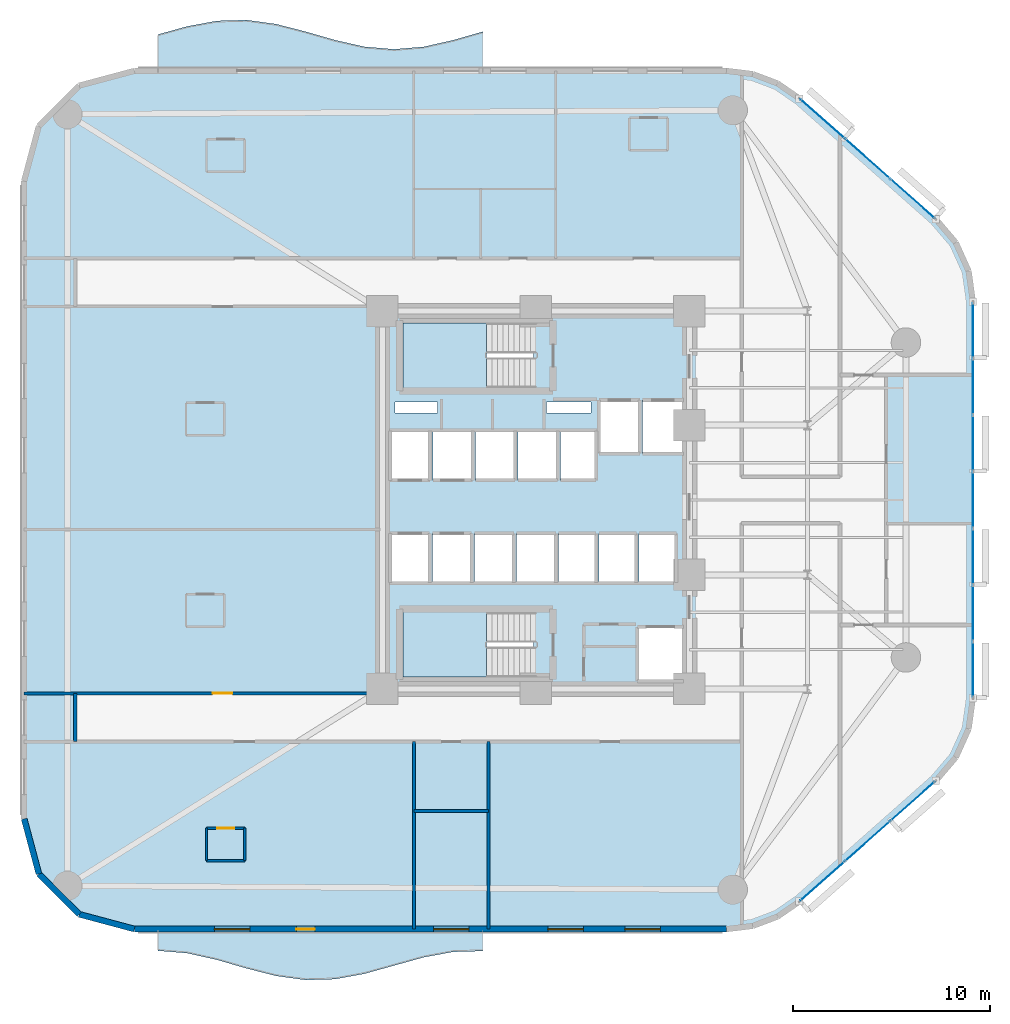
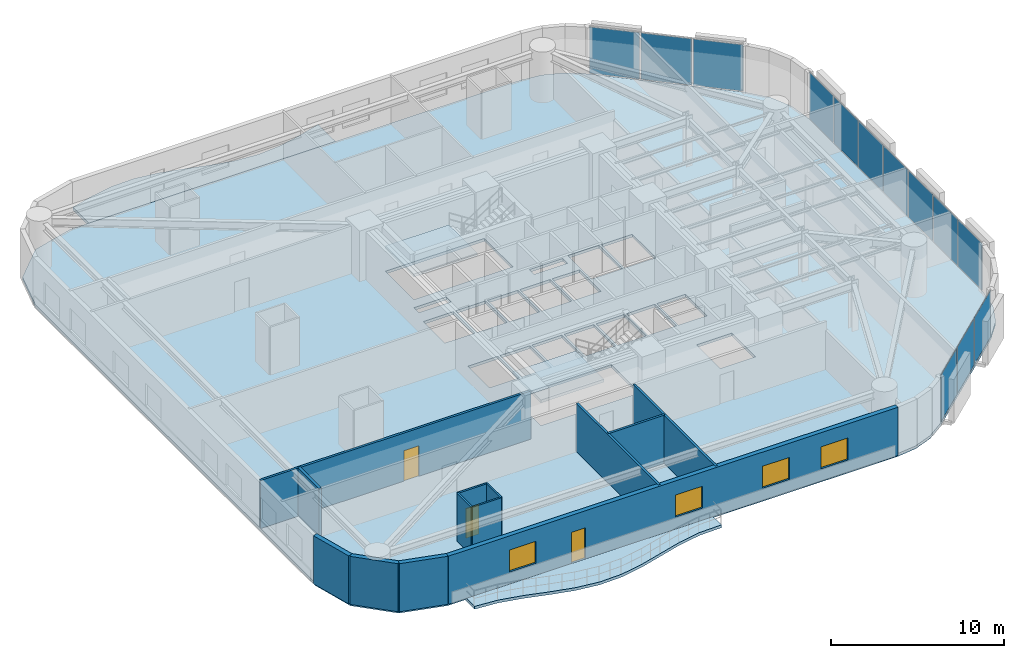
# One storey, part 9 of 16: 13 plates, 13 walls, 5 slabs, 4 windows, 3 doors, 7 openings, 5 elements without a shape of their own.
"""IFC4 building model written with IfcOpenShell, lengths in metres."""

from ifc_helpers import new_model, si_unit, direction, frame, frame_2d, origin, origin_2d, place, context, subcontext, project, spatial, polyline, rectangle, outline, extrude, material, layer, layer_set, type_object, element, fill, aggregate, save


model = new_model("IFC4")

# Units and contexts
model_context = context("Model", 3, precision=1e-05, world=origin(), true_north=direction((0.0, 1.0)))
body_context = subcontext(model_context, "Body", "Model", "MODEL_VIEW")
ifc_project = project(units=[si_unit("LENGTHUNIT", "METRE"), si_unit("AREAUNIT", "SQUARE_METRE"), si_unit("VOLUMEUNIT", "CUBIC_METRE"), si_unit("PLANEANGLEUNIT", "RADIAN"), si_unit("MASSUNIT", "GRAM", prefix="KILO")], contexts=[model_context])

# Site, building, storey
site_placement = place(None, origin())
site = spatial("IfcSite", under=ifc_project, at=site_placement, CompositionType="ELEMENT")
building_placement = place(site_placement, origin())
building = spatial("IfcBuilding", under=site, at=building_placement, Name="An Khanh Terracotta Commons", CompositionType="ELEMENT")
storey_placement = place(building_placement, frame((0.0, 0.0, 54.0)))
storey = spatial("IfcBuildingStorey", under=building, at=storey_placement, Name="L14", CompositionType="ELEMENT", Elevation=54.0)

# Curtain wall, plates
ifc_material_1 = material(Name="Anodised Aluminium 6063-T6", Category="aluminium")
ifc_layer_1 = layer(ifc_material_1, 0.199951171875, Name="Anodised Aluminium 6063-T6")
ifc_layer_set_1 = layer_set([ifc_layer_1], Name="Anodised Aluminium 6063-T6")
curtain_wall_type = type_object("IfcCurtainWallType", Name="CW-SYS-02", PredefinedType="USERDEFINED", material=ifc_layer_set_1)
curtain_wall_1_placement = place(storey_placement, origin())
curtain_wall_1 = element("IfcCurtainWall", 1, at=curtain_wall_1_placement, inside=storey, type_object=curtain_wall_type, Name="L14 CW-02 Unitised Curtain Wall CW-L14-08", ObjectType="UNITISED CURTAIN WALL", PredefinedType="USERDEFINED")
ifc_material_2 = material(Name="Double Low-E Solar Control Glazing", Category="glass")
ifc_layer_2 = layer(ifc_material_2, 0.028076171875, Name="Double Low-E Solar Control Glazing")
ifc_layer_set_2 = layer_set([ifc_layer_2], Name="Double Low-E Solar Control Glazing")
plate_type = type_object("IfcPlateType", Name="CWP-IGU-28", PredefinedType="CURTAIN_PANEL", material=ifc_layer_set_2)
plate_1_placement = place(storey_placement, frame((43.95556640625, 4.637939453125, 0.06005859375), z_axis=(0.0, 0.0, 1.0), x_axis=(0.749019284633, 0.662548195415, 0.0)))
plate_1 = element("IfcPlate", 2, at=plate_1_placement, type_object=plate_type, Name="CW-02 panel 1.1", PredefinedType="CURTAIN_PANEL", context=body_context, shape_type="SweptSolid", body=[
    extrude(rectangle(XDim=2.97509765625, YDim=0.028076171875, at=origin_2d()), origin(), (0.0, 0.0, 1.0), 3.280029296875),
])
plate_2_placement = place(storey_placement, frame((46.24951171875, 6.6669921875, 0.06005859375), z_axis=(0.0, 0.0, 1.0), x_axis=(0.749019284633, 0.662548195415, 0.0)))
plate_2 = element("IfcPlate", 3, at=plate_2_placement, type_object=plate_type, Name="CW-02 panel 2.1", PredefinedType="CURTAIN_PANEL", context=body_context, shape_type="SweptSolid", body=[
    extrude(rectangle(XDim=3.010009765625, YDim=0.028076171875, at=origin_2d()), origin(), (0.0, 0.0, 1.0), 3.280029296875),
])
plate_3_placement = place(storey_placement, frame((48.54345703125, 8.696044921875, 0.06005859375), z_axis=(0.0, 0.0, 1.0), x_axis=(0.749019284633, 0.662548195415, 0.0)))
plate_3 = element("IfcPlate", 4, at=plate_3_placement, type_object=plate_type, Name="CW-02 panel 3.1", PredefinedType="CURTAIN_PANEL", context=body_context, shape_type="SweptSolid", body=[
    extrude(rectangle(XDim=2.97509765625, YDim=0.028076171875, at=origin_2d()), origin(), (0.0, 0.0, 1.0), 3.280029296875),
])
aggregate(curtain_wall_1, [plate_1, plate_2, plate_3])

curtain_wall_2_placement = place(storey_placement, origin())
curtain_wall_2 = element("IfcCurtainWall", 5, at=curtain_wall_2_placement, inside=storey, type_object=curtain_wall_type, Name="L14 CW-02 Unitised Curtain Wall CW-L14-12", ObjectType="UNITISED CURTAIN WALL", PredefinedType="USERDEFINED")
plate_4_placement = place(storey_placement, frame((51.60009765625, 15.380126953125, 0.06005859375), z_axis=(0.0, 0.0, 1.0), x_axis=(0.0, 1.0, 0.0)))
plate_4 = element("IfcPlate", 6, at=plate_4_placement, type_object=plate_type, Name="CW-02 panel 1.1", PredefinedType="CURTAIN_PANEL", context=body_context, shape_type="SweptSolid", body=[
    extrude(rectangle(XDim=2.774169921875, YDim=0.028076171875, at=origin_2d()), origin(), (0.0, 0.0, 1.0), 3.280029296875),
])
plate_5_placement = place(storey_placement, frame((51.60009765625, 18.24169921875, 0.06005859375), z_axis=(0.0, 0.0, 1.0), x_axis=(0.0, 1.0, 0.0)))
plate_5 = element("IfcPlate", 7, at=plate_5_placement, type_object=plate_type, Name="CW-02 panel 2.1", PredefinedType="CURTAIN_PANEL", context=body_context, shape_type="SweptSolid", body=[
    extrude(rectangle(XDim=2.80908203125, YDim=0.028076171875, at=origin_2d()), origin(), (0.0, 0.0, 1.0), 3.280029296875),
])
plate_6_placement = place(storey_placement, frame((51.60009765625, 21.120849609375, 0.06005859375), z_axis=(0.0, 0.0, 1.0), x_axis=(0.0, 1.0, 0.0)))
plate_6 = element("IfcPlate", 8, at=plate_6_placement, type_object=plate_type, Name="CW-02 panel 3.1", PredefinedType="CURTAIN_PANEL", context=body_context, shape_type="SweptSolid", body=[
    extrude(rectangle(XDim=2.80908203125, YDim=0.028076171875, at=origin_2d()), origin(), (0.0, 0.0, 1.0), 3.280029296875),
])
plate_7_placement = place(storey_placement, frame((51.60009765625, 24.0, 0.06005859375), z_axis=(0.0, 0.0, 1.0), x_axis=(0.0, 1.0, 0.0)))
plate_7 = element("IfcPlate", 9, at=plate_7_placement, type_object=plate_type, Name="CW-02 panel 4.1", PredefinedType="CURTAIN_PANEL", context=body_context, shape_type="SweptSolid", body=[
    extrude(rectangle(XDim=2.80908203125, YDim=0.028076171875, at=origin_2d()), origin(), (0.0, 0.0, 1.0), 3.280029296875),
])
plate_8_placement = place(storey_placement, frame((51.60009765625, 26.879150390625, 0.06005859375), z_axis=(0.0, 0.0, 1.0), x_axis=(0.0, 1.0, 0.0)))
plate_8 = element("IfcPlate", 10, at=plate_8_placement, type_object=plate_type, Name="CW-02 panel 5.1", PredefinedType="CURTAIN_PANEL", context=body_context, shape_type="SweptSolid", body=[
    extrude(rectangle(XDim=2.80908203125, YDim=0.028076171875, at=origin_2d()), origin(), (0.0, 0.0, 1.0), 3.280029296875),
])
plate_9_placement = place(storey_placement, frame((51.60009765625, 29.75830078125, 0.06005859375), z_axis=(0.0, 0.0, 1.0), x_axis=(0.0, 1.0, 0.0)))
plate_9 = element("IfcPlate", 11, at=plate_9_placement, type_object=plate_type, Name="CW-02 panel 6.1", PredefinedType="CURTAIN_PANEL", context=body_context, shape_type="SweptSolid", body=[
    extrude(rectangle(XDim=2.80908203125, YDim=0.028076171875, at=origin_2d()), origin(), (0.0, 0.0, 1.0), 3.280029296875),
])
plate_10_placement = place(storey_placement, frame((51.60009765625, 32.619873046875, 0.06005859375), z_axis=(0.0, 0.0, 1.0), x_axis=(0.0, 1.0, 0.0)))
plate_10 = element("IfcPlate", 12, at=plate_10_placement, type_object=plate_type, Name="CW-02 panel 7.1", PredefinedType="CURTAIN_PANEL", context=body_context, shape_type="SweptSolid", body=[
    extrude(rectangle(XDim=2.774169921875, YDim=0.028076171875, at=origin_2d()), origin(), (0.0, 0.0, 1.0), 3.280029296875),
])
aggregate(curtain_wall_2, [plate_4, plate_5, plate_6, plate_7, plate_8, plate_9, plate_10])

curtain_wall_3_placement = place(storey_placement, origin())
curtain_wall_3 = element("IfcCurtainWall", 13, at=curtain_wall_3_placement, inside=storey, type_object=curtain_wall_type, Name="L14 CW-02 Unitised Curtain Wall CW-L14-16", ObjectType="UNITISED CURTAIN WALL", PredefinedType="USERDEFINED")
plate_11_placement = place(storey_placement, frame((48.54345703125, 39.303955078125, 0.06005859375), z_axis=(0.0, 0.0, 1.0), x_axis=(-0.749019284633, 0.662548195415, 0.0)))
plate_11 = element("IfcPlate", 14, at=plate_11_placement, type_object=plate_type, Name="CW-02 panel 1.1", PredefinedType="CURTAIN_PANEL", context=body_context, shape_type="SweptSolid", body=[
    extrude(rectangle(XDim=2.97509765625, YDim=0.028076171875, at=origin_2d()), origin(), (0.0, 0.0, 1.0), 3.280029296875),
])
plate_12_placement = place(storey_placement, frame((46.24951171875, 41.3330078125, 0.06005859375), z_axis=(0.0, 0.0, 1.0), x_axis=(-0.749019284633, 0.662548195415, 0.0)))
plate_12 = element("IfcPlate", 15, at=plate_12_placement, type_object=plate_type, Name="CW-02 panel 2.1", PredefinedType="CURTAIN_PANEL", context=body_context, shape_type="SweptSolid", body=[
    extrude(rectangle(XDim=3.010009765625, YDim=0.028076171875, at=origin_2d()), origin(), (0.0, 0.0, 1.0), 3.280029296875),
])
plate_13_placement = place(storey_placement, frame((43.95556640625, 43.362060546875, 0.06005859375), z_axis=(0.0, 0.0, 1.0), x_axis=(-0.749019284633, 0.662548195415, 0.0)))
plate_13 = element("IfcPlate", 16, at=plate_13_placement, type_object=plate_type, Name="CW-02 panel 3.1", PredefinedType="CURTAIN_PANEL", context=body_context, shape_type="SweptSolid", body=[
    extrude(rectangle(XDim=2.97509765625, YDim=0.028076171875, at=origin_2d()), origin(), (0.0, 0.0, 1.0), 3.280029296875),
])
aggregate(curtain_wall_3, [plate_11, plate_12, plate_13])

# Slabs
ifc_material_3 = material(Name="Concrete C40/50", Category="concrete")
ifc_layer_3 = layer(ifc_material_3, 0.199951171875, Name="Concrete C40/50")
ifc_layer_set_3 = layer_set([ifc_layer_3], Name="Concrete C40/50")
slab_type_1 = type_object("IfcSlabType", Name="SLAB-BALC-200", PredefinedType="FLOOR", material=ifc_layer_set_3)
slab_1_placement = place(storey_placement, frame((0.0, 0.0, -0.199951171875)))
element("IfcSlab", 17, at=slab_1_placement, inside=storey, type_object=slab_type_1, Name="L14 S Sinusoidal Wave Balcony Slab", PredefinedType="FLOOR", context=body_context, shape_type="SweptSolid", body=[
    extrude(outline(polyline([(10.199951171875, 2.199951171875), (10.199951171875, 1.10009765625), (11.699951171875, 0.97412109375), (13.199951171875, 0.636962890625), (14.699951171875, 0.2041015625), (16.199951171875, -0.179931640625), (17.699951171875, -0.385986328125), (19.199951171875, -0.343017578125), (20.699951171875, -0.06689453125), (22.199951171875, 0.35009765625), (23.699951171875, 0.76708984375), (25.199951171875, 1.04296875), (26.699951171875, 1.0859375), (26.699951171875, 2.199951171875), (10.199951171875, 2.199951171875)])), origin(), (0.0, 0.0, 1.0), 0.199951171875),
])
slab_2_placement = place(storey_placement, frame((0.0, 0.0, -0.199951171875)))
element("IfcSlab", 18, at=slab_2_placement, inside=storey, type_object=slab_type_1, Name="L14 N Sinusoidal Wave Balcony Slab", PredefinedType="FLOOR", context=body_context, shape_type="SweptSolid", body=[
    extrude(outline(polyline([(26.699951171875, 45.800048828125), (26.699951171875, 47.7958984375), (25.199951171875, 47.363037109375), (23.699951171875, 47.02587890625), (22.199951171875, 46.89990234375), (20.699951171875, 47.02587890625), (19.199951171875, 47.363037109375), (17.699951171875, 47.7958984375), (16.199951171875, 48.179931640625), (14.699951171875, 48.385986328125), (13.199951171875, 48.343017578125), (11.699951171875, 48.06689453125), (10.199951171875, 47.64990234375), (10.199951171875, 45.800048828125), (26.699951171875, 45.800048828125)])), origin(), (0.0, 0.0, 1.0), 0.199951171875),
])

# Stair, slab
ifc_material_4 = material(Name="Precast concrete C40/50", Category="concrete")
stair_type = type_object("IfcStairType", Name="STAIR-CORE-1550", PredefinedType="HALF_TURN_STAIR", material=ifc_material_4)
stair_1_placement = place(storey_placement, origin())
stair_1 = element("IfcStair", 19, at=stair_1_placement, inside=storey, type_object=stair_type, Name="L14 Core Smokeproof Exit Stair ST-01", PredefinedType="HALF_TURN_STAIR")
ifc_layer_4 = layer(ifc_material_3, 0.18994140625, Name="Concrete C40/50")
ifc_layer_set_4 = layer_set([ifc_layer_4], Name="Concrete C40/50")
slab_type_2 = type_object("IfcSlabType", Name="SLAB-LANDING-190", PredefinedType="LANDING", material=ifc_layer_set_4)
slab_3_placement = place(storey_placement, frame((0.0, 0.0, 1.60009765625)))
slab_3 = element("IfcSlab", 20, at=slab_3_placement, type_object=slab_type_2, Name="ST-01 landing 1", PredefinedType="LANDING", context=body_context, shape_type="SweptSolid", body=[
    extrude(outline(polyline([(26.889892578125, 33.0), (22.64990234375, 33.0), (22.64990234375, 29.699951171875), (26.889892578125, 29.699951171875), (26.889892578125, 33.0)])), origin(), (0.0, 0.0, 1.0), 0.199951171875),
])
aggregate(stair_1, [slab_3])

stair_2_placement = place(storey_placement, origin())
stair_2 = element("IfcStair", 21, at=stair_2_placement, inside=storey, type_object=stair_type, Name="L14 Core Smokeproof Exit Stair ST-02", PredefinedType="HALF_TURN_STAIR")
slab_4_placement = place(storey_placement, frame((0.0, 0.0, 1.60009765625)))
slab_4 = element("IfcSlab", 22, at=slab_4_placement, type_object=slab_type_2, Name="ST-02 landing 1", PredefinedType="LANDING", context=body_context, shape_type="SweptSolid", body=[
    extrude(outline(polyline([(26.889892578125, 18.300048828125), (22.64990234375, 18.300048828125), (22.64990234375, 15.0), (26.889892578125, 15.0), (26.889892578125, 18.300048828125)])), origin(), (0.0, 0.0, 1.0), 0.199951171875),
])
aggregate(stair_2, [slab_4])

# Slab
ifc_layer_5 = layer(ifc_material_3, 0.199951171875, Name="Concrete C40/50")
ifc_layer_set_5 = layer_set([ifc_layer_5], Name="Concrete C40/50")
slab_type_3 = type_object("IfcSlabType", Name="SLAB-TYP-200", PredefinedType="FLOOR", material=ifc_layer_set_5)
slab_5_placement = place(storey_placement, frame((0.0, 0.0, -0.199951171875)))
element("IfcSlab", 23, at=slab_5_placement, inside=storey, type_object=slab_type_3, Name="L14 Structural Floor Slab", PredefinedType="FLOOR", context=body_context, shape_type="SweptSolid", body=[
    extrude(outline(polyline([(3.39990234375, 7.800048828125), (4.14990234375, 5.0), (6.199951171875, 2.949951171875), (9.0, 2.199951171875), (39.0791015625, 2.199951171875), (40.4169921875, 2.362060546875), (41.678955078125, 2.840087890625), (42.7890625, 3.60595703125), (49.7099609375, 9.72802734375), (50.73193359375, 10.927978515625), (51.37890625, 12.363037109375), (51.60009765625, 13.923095703125), (51.60009765625, 34.076904296875), (51.37890625, 35.636962890625), (50.73193359375, 37.072021484375), (49.7099609375, 38.27197265625), (42.7890625, 44.39404296875), (41.678955078125, 45.159912109375), (40.4169921875, 45.637939453125), (39.0791015625, 45.800048828125), (9.0, 45.800048828125), (6.199951171875, 45.050048828125), (4.14990234375, 43.0), (3.39990234375, 40.199951171875), (3.39990234375, 7.800048828125)]), holes=[polyline([(22.64990234375, 29.699951171875), (29.27001953125, 29.699951171875), (29.27001953125, 33.0), (22.64990234375, 33.0), (22.64990234375, 29.699951171875)]), polyline([(22.64990234375, 15.0), (29.27001953125, 15.0), (29.27001953125, 18.300048828125), (22.64990234375, 18.300048828125), (22.64990234375, 15.0)]), polyline([(32.60009765625, 26.35009765625), (34.679931640625, 26.35009765625), (34.679931640625, 29.080078125), (32.60009765625, 29.080078125), (32.60009765625, 26.35009765625)]), polyline([(34.820068359375, 26.35009765625), (36.89990234375, 26.35009765625), (36.89990234375, 29.080078125), (34.820068359375, 29.080078125), (34.820068359375, 26.35009765625)]), polyline([(34.550048828125, 14.800048828125), (36.89990234375, 14.800048828125), (36.89990234375, 17.550048828125), (34.550048828125, 17.550048828125), (34.550048828125, 14.800048828125)]), polyline([(22.0, 25.0), (24.02001953125, 25.0), (24.02001953125, 27.5), (22.0, 27.5), (22.0, 25.0)]), polyline([(24.159912109375, 25.0), (26.179931640625, 25.0), (26.179931640625, 27.5), (24.159912109375, 27.5), (24.159912109375, 25.0)]), polyline([(22.0, 19.800048828125), (24.0, 19.800048828125), (24.0, 22.300048828125), (22.0, 22.300048828125), (22.0, 19.800048828125)]), polyline([(24.139892578125, 19.800048828125), (26.139892578125, 19.800048828125), (26.139892578125, 22.300048828125), (24.139892578125, 22.300048828125), (24.139892578125, 19.800048828125)]), polyline([(26.320068359375, 25.0), (28.340087890625, 25.0), (28.340087890625, 27.5), (26.320068359375, 27.5), (26.320068359375, 25.0)]), polyline([(28.47998046875, 25.0), (30.5, 25.0), (30.5, 27.5), (28.47998046875, 27.5), (28.47998046875, 25.0)]), polyline([(26.280029296875, 19.800048828125), (28.280029296875, 19.800048828125), (28.280029296875, 22.300048828125), (26.280029296875, 22.300048828125), (26.280029296875, 19.800048828125)]), polyline([(28.419921875, 19.800048828125), (30.419921875, 19.800048828125), (30.419921875, 22.300048828125), (28.419921875, 22.300048828125), (28.419921875, 19.800048828125)]), polyline([(30.639892578125, 25.0), (32.4599609375, 25.0), (32.4599609375, 27.5), (30.639892578125, 27.5), (30.639892578125, 25.0)]), polyline([(30.56005859375, 19.800048828125), (32.4599609375, 19.800048828125), (32.4599609375, 22.300048828125), (30.56005859375, 22.300048828125), (30.56005859375, 19.800048828125)]), polyline([(32.60009765625, 19.800048828125), (34.5, 19.800048828125), (34.5, 22.300048828125), (32.60009765625, 22.300048828125), (32.60009765625, 19.800048828125)]), polyline([(34.639892578125, 19.800048828125), (36.5400390625, 19.800048828125), (36.5400390625, 22.300048828125), (34.639892578125, 22.300048828125), (34.639892578125, 19.800048828125)]), polyline([(22.25, 28.419921875), (24.39990234375, 28.419921875), (24.39990234375, 28.97998046875), (22.25, 28.97998046875), (22.25, 28.419921875)]), polyline([(29.949951171875, 28.419921875), (32.199951171875, 28.419921875), (32.199951171875, 28.97998046875), (29.949951171875, 28.97998046875), (29.949951171875, 28.419921875)])]), origin(), (0.0, 0.0, 1.0), 0.199951171875),
])

# Walls
ifc_material_5 = material(Name="Fire-Rated Gypsum Board on Steel Stud", Category="steel")
ifc_layer_6 = layer(ifc_material_5, 0.179931640625, Name="Fire-Rated Gypsum Board on Steel Stud")
ifc_layer_set_6 = layer_set([ifc_layer_6], Name="Fire-Rated Gypsum Board on Steel Stud")
wall_type_1 = type_object("IfcWallType", Name="WALL-CORR-180", PredefinedType="PARTITIONING", material=ifc_layer_set_6)
wall_1_placement = place(storey_placement, frame((6.0, 11.719970703125, 0.0), z_axis=(0.0, 0.0, 1.0), x_axis=(0.0, 1.0, 0.0)))
element("IfcWall", 24, at=wall_1_placement, inside=storey, type_object=wall_type_1, Name="L14 Interior Partition IW-L14-E013", PredefinedType="PARTITIONING", context=body_context, shape_type="SweptSolid", body=[
    extrude(rectangle(XDim=2.4599609375, YDim=0.179931640625, at=frame_2d((1.22998046875, 0.0))), origin(), (0.0, 0.0, 1.0), 3.39990234375),
])
ifc_layer_7 = layer(ifc_material_4, 0.300048828125, Name="Precast concrete C40/50")
ifc_layer_set_7 = layer_set([ifc_layer_7], Name="Precast concrete C40/50")
wall_type_2 = type_object("IfcWallType", Name="WALL-EXT-300", PredefinedType="SOLIDWALL", material=ifc_layer_set_7)
wall_2_placement = place(storey_placement, frame((3.39990234375, 7.800048828125, 0.0), z_axis=(0.0, 0.0, 1.0), x_axis=(0.258731875344, -0.96594917914, 0.0)))
element("IfcWall", 25, at=wall_2_placement, inside=storey, type_object=wall_type_2, Name="L14 Insulated Terracotta Exterior Wall 1", PredefinedType="SOLIDWALL", context=body_context, shape_type="SweptSolid", body=[
    extrude(rectangle(XDim=2.898681640625, YDim=0.300048828125, at=frame_2d((1.44921875, 0.0))), origin(), (0.0, 0.0, 1.0), 3.39990234375),
])
wall_3_placement = place(storey_placement, frame((4.14990234375, 5.0, 0.0), z_axis=(0.0, 0.0, 1.0), x_axis=(0.707106781187, -0.707106781187, 0.0)))
element("IfcWall", 26, at=wall_3_placement, inside=storey, type_object=wall_type_2, Name="L14 Insulated Terracotta Exterior Wall 2", PredefinedType="SOLIDWALL", context=body_context, shape_type="SweptSolid", body=[
    extrude(rectangle(XDim=2.899169921875, YDim=0.300048828125, at=frame_2d((1.44970703125, 0.0))), origin(), (0.0, 0.0, 1.0), 3.39990234375),
])
wall_4_placement = place(storey_placement, frame((6.199951171875, 2.949951171875, 0.0), z_axis=(0.0, 0.0, 1.0), x_axis=(0.96594917914, -0.258731875344, 0.0)))
element("IfcWall", 27, at=wall_4_placement, inside=storey, type_object=wall_type_2, Name="L14 Insulated Terracotta Exterior Wall 3", PredefinedType="SOLIDWALL", context=body_context, shape_type="SweptSolid", body=[
    extrude(rectangle(XDim=2.898681640625, YDim=0.300048828125, at=frame_2d((1.44921875, 0.0))), origin(), (0.0, 0.0, 1.0), 3.39990234375),
])

# Wall, openings, door, windows
wall_5_placement = place(storey_placement, frame((9.0, 2.199951171875, 0.0), z_axis=(0.0, 0.0, 1.0), x_axis=(1.0, 0.0, 0.0)))
wall_5 = element("IfcWall", 28, at=wall_5_placement, inside=storey, type_object=wall_type_2, Name="L14 Insulated Terracotta Exterior Wall 4", PredefinedType="SOLIDWALL", context=body_context, shape_type="SweptSolid", body=[
    extrude(rectangle(XDim=30.0791015625, YDim=0.300048828125, at=frame_2d((15.03955078125, 0.0))), origin(), (0.0, 0.0, 1.0), 3.39990234375),
])
opening_1_placement = place(wall_5_placement, frame((8.22509765625, 0.0, 0.0)))
opening_1 = element("IfcOpeningElement", 29, at=opening_1_placement, cuts=wall_5, Name="Opening D-BAL", PredefinedType="OPENING", context=body_context, shape_type="SweptSolid", body=[
    extrude(rectangle(XDim=0.949951171875, YDim=2.199951171875, at=frame_2d((0.47509765625, 1.10009765625))), frame((0.0, 0.159912109375, 0.0), z_axis=(0.0, -1.0, 0.0), x_axis=(1.0, 0.0, 0.0)), (0.0, 0.0, 1.0), 0.320068359375),
])
opening_2_placement = place(wall_5_placement, frame((4.06689453125, 0.0, 0.85009765625)))
opening_2 = element("IfcOpeningElement", 30, at=opening_2_placement, cuts=wall_5, Name="Opening W-01", PredefinedType="OPENING", context=body_context, shape_type="SweptSolid", body=[
    extrude(rectangle(XDim=1.800048828125, YDim=1.550048828125, at=frame_2d((0.89990234375, 0.77490234375))), frame((0.0, 0.159912109375, 0.0), z_axis=(0.0, -1.0, 0.0), x_axis=(1.0, 0.0, 0.0)), (0.0, 0.0, 1.0), 0.320068359375),
])
opening_3_placement = place(wall_5_placement, frame((15.199951171875, 0.0, 0.85009765625)))
opening_3 = element("IfcOpeningElement", 31, at=opening_3_placement, cuts=wall_5, Name="Opening W-01", PredefinedType="OPENING", context=body_context, shape_type="SweptSolid", body=[
    extrude(rectangle(XDim=1.800048828125, YDim=1.550048828125, at=frame_2d((0.89990234375, 0.77490234375))), frame((0.0, 0.159912109375, 0.0), z_axis=(0.0, -1.0, 0.0), x_axis=(1.0, 0.0, 0.0)), (0.0, 0.0, 1.0), 0.320068359375),
])
opening_4_placement = place(wall_5_placement, frame((21.010009765625, 0.0, 0.85009765625)))
opening_4 = element("IfcOpeningElement", 32, at=opening_4_placement, cuts=wall_5, Name="Opening W-01", PredefinedType="OPENING", context=body_context, shape_type="SweptSolid", body=[
    extrude(rectangle(XDim=1.800048828125, YDim=1.550048828125, at=frame_2d((0.89990234375, 0.77490234375))), frame((0.0, 0.159912109375, 0.0), z_axis=(0.0, -1.0, 0.0), x_axis=(1.0, 0.0, 0.0)), (0.0, 0.0, 1.0), 0.320068359375),
])
opening_5_placement = place(wall_5_placement, frame((24.9189453125, 0.0, 0.85009765625)))
opening_5 = element("IfcOpeningElement", 33, at=opening_5_placement, cuts=wall_5, Name="Opening W-01", PredefinedType="OPENING", context=body_context, shape_type="SweptSolid", body=[
    extrude(rectangle(XDim=1.800048828125, YDim=1.550048828125, at=frame_2d((0.89990234375, 0.77490234375))), frame((0.0, 0.159912109375, 0.0), z_axis=(0.0, -1.0, 0.0), x_axis=(1.0, 0.0, 0.0)), (0.0, 0.0, 1.0), 0.320068359375),
])
ifc_material_6 = material(Name="Thermally Broken Aluminium and Low-E Glass", Category="aluminium")
door_type_1 = type_object("IfcDoorType", Name="DOOR-BALC-950", OperationType="NOTDEFINED", PredefinedType="DOOR", material=ifc_material_6)
door_1_placement = place(opening_1_placement, origin())
door_1 = element("IfcDoor", 34, at=door_1_placement, inside=storey, type_object=door_type_1, Name="L14 S Wave Balcony Glazed Door", OperationType="SINGLE_SWING_LEFT", OverallHeight=2.199951171875, OverallWidth=0.949951171875, PredefinedType="DOOR", context=body_context, shape_type="SweptSolid", body=[
    extrude(rectangle(XDim=0.949951171875, YDim=2.199951171875, at=frame_2d((0.47509765625, 1.10009765625))), frame((0.0, 0.02490234375, 0.0), z_axis=(0.0, -1.0, 0.0), x_axis=(1.0, 0.0, 0.0)), (0.0, 0.0, 1.0), 0.050048828125),
])
fill(opening_1, door_1)
window_type = type_object("IfcWindowType", Name="WIN-Z1-1800x1550", PartitioningType="DOUBLE_PANEL_VERTICAL", PredefinedType="WINDOW", material=ifc_material_6)
window_1_placement = place(opening_2_placement, origin())
window_1 = element("IfcWindow", 35, at=window_1_placement, inside=storey, type_object=window_type, Name="L14 Operable Casement Window 4.1", OverallHeight=1.550048828125, OverallWidth=1.800048828125, PartitioningType="DOUBLE_PANEL_VERTICAL", PredefinedType="WINDOW", context=body_context, shape_type="SweptSolid", body=[
    extrude(rectangle(XDim=1.800048828125, YDim=1.550048828125, at=frame_2d((0.89990234375, 0.77490234375))), frame((0.0, 0.030029296875, 0.0), z_axis=(0.0, -1.0, 0.0), x_axis=(1.0, 0.0, 0.0)), (0.0, 0.0, 1.0), 0.06005859375),
])
fill(opening_2, window_1)
window_2_placement = place(opening_3_placement, origin())
window_2 = element("IfcWindow", 36, at=window_2_placement, inside=storey, type_object=window_type, Name="L14 Operable Casement Window 4.2", OverallHeight=1.550048828125, OverallWidth=1.800048828125, PartitioningType="DOUBLE_PANEL_VERTICAL", PredefinedType="WINDOW", context=body_context, shape_type="SweptSolid", body=[
    extrude(rectangle(XDim=1.800048828125, YDim=1.550048828125, at=frame_2d((0.89990234375, 0.77490234375))), frame((0.0, 0.030029296875, 0.0), z_axis=(0.0, -1.0, 0.0), x_axis=(1.0, 0.0, 0.0)), (0.0, 0.0, 1.0), 0.06005859375),
])
fill(opening_3, window_2)
window_3_placement = place(opening_4_placement, origin())
window_3 = element("IfcWindow", 37, at=window_3_placement, inside=storey, type_object=window_type, Name="L14 Operable Casement Window 4.3", OverallHeight=1.550048828125, OverallWidth=1.800048828125, PartitioningType="DOUBLE_PANEL_VERTICAL", PredefinedType="WINDOW", context=body_context, shape_type="SweptSolid", body=[
    extrude(rectangle(XDim=1.800048828125, YDim=1.550048828125, at=frame_2d((0.89990234375, 0.77490234375))), frame((0.0, 0.030029296875, 0.0), z_axis=(0.0, -1.0, 0.0), x_axis=(1.0, 0.0, 0.0)), (0.0, 0.0, 1.0), 0.06005859375),
])
fill(opening_4, window_3)
window_4_placement = place(opening_5_placement, origin())
window_4 = element("IfcWindow", 38, at=window_4_placement, inside=storey, type_object=window_type, Name="L14 Operable Casement Window 4.4", OverallHeight=1.550048828125, OverallWidth=1.800048828125, PartitioningType="DOUBLE_PANEL_VERTICAL", PredefinedType="WINDOW", context=body_context, shape_type="SweptSolid", body=[
    extrude(rectangle(XDim=1.800048828125, YDim=1.550048828125, at=frame_2d((0.89990234375, 0.77490234375))), frame((0.0, 0.030029296875, 0.0), z_axis=(0.0, -1.0, 0.0), x_axis=(1.0, 0.0, 0.0)), (0.0, 0.0, 1.0), 0.06005859375),
])
fill(opening_5, window_4)

# Wall
ifc_material_7 = material(Name="Acoustic Gypsum Board Partition")
ifc_layer_8 = layer(ifc_material_7, 0.14990234375, Name="Acoustic Gypsum Board Partition")
ifc_layer_set_8 = layer_set([ifc_layer_8], Name="Acoustic Gypsum Board Partition")
wall_type_3 = type_object("IfcWallType", Name="WALL-PART-150", PredefinedType="PARTITIONING", material=ifc_layer_set_8)
wall_6_placement = place(storey_placement, frame((23.199951171875, 8.199951171875, 0.0), z_axis=(0.0, 0.0, 1.0), x_axis=(1.0, 0.0, 0.0)))
element("IfcWall", 39, at=wall_6_placement, inside=storey, type_object=wall_type_3, Name="L14 Interior Partition IW-L14-E001", PredefinedType="PARTITIONING", context=body_context, shape_type="SweptSolid", body=[
    extrude(rectangle(XDim=3.800048828125, YDim=0.14990234375, at=frame_2d((1.89990234375, 0.0))), origin(), (0.0, 0.0, 1.0), 3.39990234375),
])

# Wall, opening, door
wall_7_placement = place(storey_placement, frame((3.39990234375, 14.179931640625, 0.0), z_axis=(0.0, 0.0, 1.0), x_axis=(1.0, 0.0, 0.0)))
wall_7 = element("IfcWall", 40, at=wall_7_placement, inside=storey, type_object=wall_type_3, Name="L14 Interior Partition IW-L14-E003", PredefinedType="PARTITIONING", context=body_context, shape_type="SweptSolid", body=[
    extrude(rectangle(XDim=18.080078125, YDim=0.14990234375, at=frame_2d((9.0400390625, 0.0))), origin(), (0.0, 0.0, 1.0), 3.39990234375),
])
opening_6_placement = place(wall_7_placement, frame((9.580078125, 0.0, 0.0)))
opening_6 = element("IfcOpeningElement", 41, at=opening_6_placement, cuts=wall_7, Name="Opening D-UN", PredefinedType="OPENING", context=body_context, shape_type="SweptSolid", body=[
    extrude(rectangle(XDim=1.0, YDim=2.14990234375, at=frame_2d((0.5, 1.074951171875))), frame((0.0, 0.0849609375, 0.0), z_axis=(0.0, -1.0, 0.0), x_axis=(1.0, 0.0, 0.0)), (0.0, 0.0, 1.0), 0.169921875),
])
ifc_material_8 = material(Name="Solid-Core Hardwood Acoustic Fire Door", Category="wood")
door_type_2 = type_object("IfcDoorType", Name="DOOR-UNIT-1000", OperationType="NOTDEFINED", PredefinedType="DOOR", material=ifc_material_8)
door_2_placement = place(opening_6_placement, origin())
door_2 = element("IfcDoor", 42, at=door_2_placement, inside=storey, type_object=door_type_2, Name="L14 WW1 Kitchenette and Studio Apartment Door", OperationType="SINGLE_SWING_RIGHT", OverallHeight=2.14990234375, OverallWidth=1.0, PredefinedType="DOOR", context=body_context, shape_type="SweptSolid", body=[
    extrude(rectangle(XDim=1.0, YDim=2.14990234375, at=frame_2d((0.5, 1.074951171875))), frame((0.0, 0.02490234375, 0.0), z_axis=(0.0, -1.0, 0.0), x_axis=(1.0, 0.0, 0.0)), (0.0, 0.0, 1.0), 0.050048828125),
])
fill(opening_6, door_2)

# Walls
for number, where, z_axis, x_axis, name in (
    (43, (23.199951171875, 2.199951171875, 0.0), (0.0, 0.0, 1.0), (0.0, 1.0, 0.0), "L14 Interior Partition IW-L14-E015"),
    (44, (27.0, 2.199951171875, 0.0), (0.0, 0.0, 1.0), (0.0, 1.0, 0.0), "L14 Interior Partition IW-L14-E018"),
):
    element("IfcWall", number, at=place(storey_placement, frame(where, z_axis=z_axis, x_axis=x_axis)), inside=storey, type_object=wall_type_3, Name=name, PredefinedType="PARTITIONING", context=body_context, shape_type="SweptSolid", body=[
        extrude(rectangle(XDim=9.52001953125, YDim=0.14990234375, at=frame_2d((4.760009765625, 0.0))), origin(), (0.0, 0.0, 1.0), 3.39990234375),
    ])

# Wall, opening, door
ifc_material_9 = material(Name="Moisture-Resistant Cement Board Partition")
ifc_layer_9 = layer(ifc_material_9, 0.1201171875, Name="Moisture-Resistant Cement Board Partition")
ifc_layer_set_9 = layer_set([ifc_layer_9], Name="Moisture-Resistant Cement Board Partition")
wall_type_4 = type_object("IfcWallType", Name="WALL-WET-120", PredefinedType="PARTITIONING", material=ifc_layer_set_9)
wall_8_placement = place(storey_placement, frame((12.6640625, 7.3291015625, 0.0), z_axis=(0.0, 0.0, 1.0), x_axis=(1.0, 0.0, 0.0)))
wall_8 = element("IfcWall", 45, at=wall_8_placement, inside=storey, type_object=wall_type_4, Name="L14 Interior Partition IW-L14-SW1-BN", PredefinedType="PARTITIONING", context=body_context, shape_type="SweptSolid", body=[
    extrude(rectangle(XDim=1.949951171875, YDim=0.1201171875, at=frame_2d((0.97509765625, 0.0))), origin(), (0.0, 0.0, 1.0), 3.39990234375),
])
opening_7_placement = place(wall_8_placement, frame((0.544921875, 0.0, 0.0)))
opening_7 = element("IfcOpeningElement", 46, at=opening_7_placement, cuts=wall_8, Name="Opening D-ENS", PredefinedType="OPENING", context=body_context, shape_type="SweptSolid", body=[
    extrude(rectangle(XDim=0.860107421875, YDim=2.10009765625, at=frame_2d((0.43017578125, 1.050048828125))), frame((0.0, 0.070068359375, 0.0), z_axis=(0.0, -1.0, 0.0), x_axis=(1.0, 0.0, 0.0)), (0.0, 0.0, 1.0), 0.14013671875),
])
ifc_material_10 = material(Name="Moisture-Resistant Hardwood Timber Leaf", Category="wood")
door_type_3 = type_object("IfcDoorType", Name="DOOR-BATH-860", OperationType="NOTDEFINED", PredefinedType="DOOR", material=ifc_material_10)
door_3_placement = place(opening_7_placement, origin())
door_3 = element("IfcDoor", 47, at=door_3_placement, inside=storey, type_object=door_type_3, Name="L14 Studio SW1 En-suite Door", OperationType="SINGLE_SWING_RIGHT", OverallHeight=2.10009765625, OverallWidth=0.860107421875, PredefinedType="DOOR", context=body_context, shape_type="SweptSolid", body=[
    extrude(rectangle(XDim=0.860107421875, YDim=2.10009765625, at=frame_2d((0.43017578125, 1.050048828125))), frame((0.0, 0.02490234375, 0.0), z_axis=(0.0, -1.0, 0.0), x_axis=(1.0, 0.0, 0.0)), (0.0, 0.0, 1.0), 0.050048828125),
])
fill(opening_7, door_3)

# Walls
wall_9_placement = place(storey_placement, frame((14.614013671875, 5.678955078125, 0.0), z_axis=(0.0, 0.0, 1.0), x_axis=(-1.0, 0.0, 0.0)))
element("IfcWall", 48, at=wall_9_placement, inside=storey, type_object=wall_type_4, Name="L14 Interior Partition IW-L14-SW1-BS", PredefinedType="PARTITIONING", context=body_context, shape_type="SweptSolid", body=[
    extrude(rectangle(XDim=1.949951171875, YDim=0.1201171875, at=frame_2d((0.97509765625, 0.0))), origin(), (0.0, 0.0, 1.0), 3.39990234375),
])
for number, where, z_axis, x_axis, name in (
    (49, (12.6640625, 7.3291015625, 0.0), (0.0, 0.0, 1.0), (0.0, -1.0, 0.0), "L14 Interior Partition IW-L14-SW1-BW"),
    (50, (14.614013671875, 5.678955078125, 0.0), (0.0, 0.0, 1.0), (0.0, 1.0, 0.0), "L14 Interior Partition IW-L14-SW1-BE"),
):
    element("IfcWall", number, at=place(storey_placement, frame(where, z_axis=z_axis, x_axis=x_axis)), inside=storey, type_object=wall_type_4, Name=name, PredefinedType="PARTITIONING", context=body_context, shape_type="SweptSolid", body=[
        extrude(rectangle(XDim=1.650146484375, YDim=0.1201171875, at=frame_2d((0.8251953125, 0.0))), origin(), (0.0, 0.0, 1.0), 3.39990234375),
    ])

save(model, "model.ifc")
